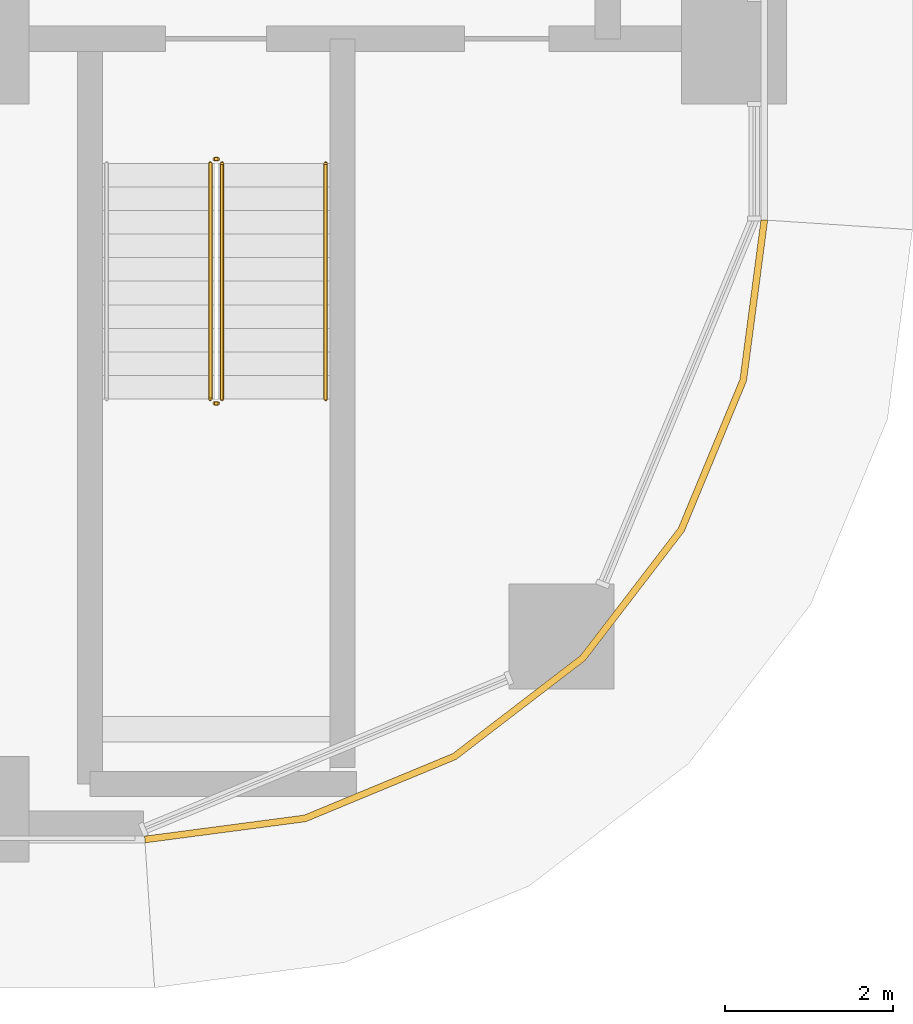
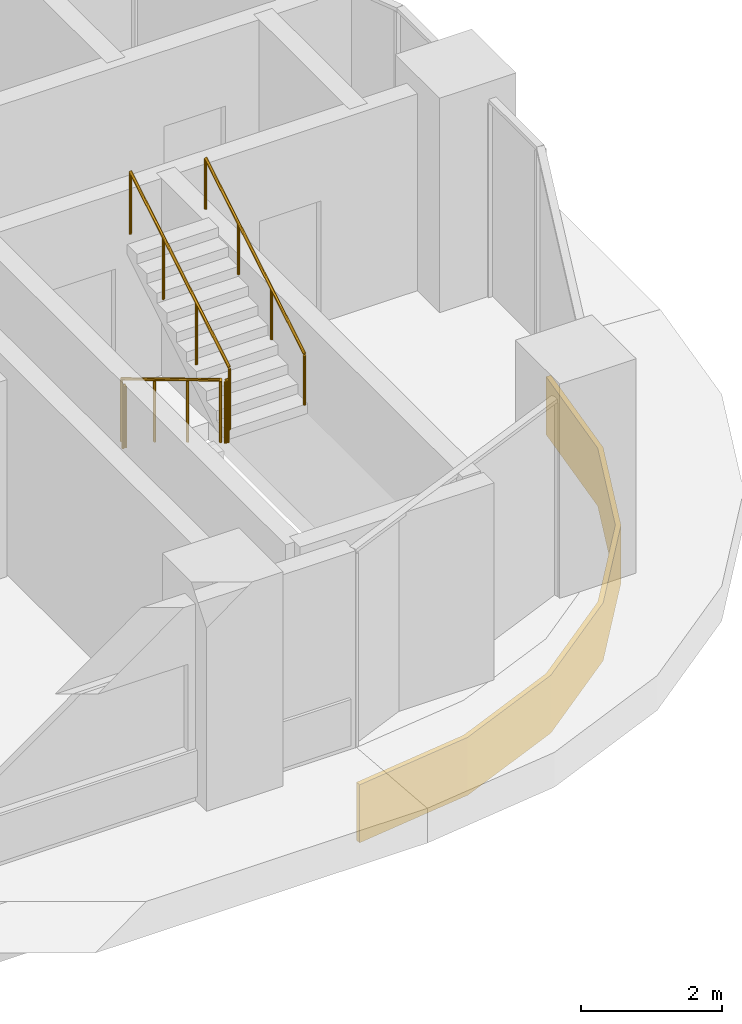
# One storey, part 28 of 33: 5 railings, 1 covering.
"""IFC4 building model written with IfcOpenShell, lengths in metres."""

from ifc_helpers import new_model, si_unit, direction, frame, origin, origin_2d, place, context, subcontext, project, spatial, polyline, circle, outline, extrude, material, layer, layer_set, type_object, element, save


model = new_model("IFC4")

# Units and contexts
model_context = context("Model", 3, precision=1e-05, world=origin(), true_north=direction((0.0, 1.0)))
body_context = subcontext(model_context, "Body", "Model", "MODEL_VIEW")
ifc_project = project(units=[si_unit("LENGTHUNIT", "METRE"), si_unit("AREAUNIT", "SQUARE_METRE"), si_unit("VOLUMEUNIT", "CUBIC_METRE"), si_unit("PLANEANGLEUNIT", "RADIAN"), si_unit("MASSUNIT", "GRAM", prefix="KILO")], contexts=[model_context])

# Site, building, storey
site_placement = place(None, origin())
site = spatial("IfcSite", under=ifc_project, at=site_placement, CompositionType="ELEMENT")
building_placement = place(site_placement, origin())
building = spatial("IfcBuilding", under=site, at=building_placement, Name="Ogive Portal Towers", CompositionType="ELEMENT")
storey_placement = place(building_placement, frame((0.0, 0.0, 98.199951171875)))
storey = spatial("IfcBuildingStorey", under=building, at=storey_placement, Name="L23", CompositionType="ELEMENT", Elevation=98.199951171875)

# Railings
ifc_material_1 = material(Name="Stainless steel balustrade", Category="steel")
railing_type_1 = type_object("IfcRailingType", Name="INT-GUARD", PredefinedType="GUARDRAIL", material=ifc_material_1)
railing_1_placement = place(storey_placement, frame((88.280029296875, 29.169921875, 0.168212890625)))
element("IfcRailing", 1, at=railing_1_placement, inside=storey, type_object=railing_type_1, Name="L23 ST-A4 stair guard 1", PredefinedType="GUARDRAIL", context=body_context, shape_type="SweptSolid", body=[
    extrude(circle(Radius=0.02392578125, at=origin_2d()), frame((0.0, 0.0, 1.076171875), z_axis=(0.0, -0.857222391501, 0.514946377315), x_axis=(1.0, 0.0, 0.0)), (0.0, 0.0, 1.0), 3.26611328125),
    extrude(circle(Radius=0.02099609375, at=origin_2d()), origin(), (0.0, 0.0, 1.0), 1.052001953125),
    extrude(circle(Radius=0.02099609375, at=origin_2d()), frame((0.0, -0.933349609375, 0.560546875)), (0.0, 0.0, 1.0), 1.052001953125),
    extrude(circle(Radius=0.02099609375, at=origin_2d()), frame((0.0, -1.866455078125, 1.121337890625)), (0.0, 0.0, 1.0), 1.052001953125),
    extrude(circle(Radius=0.02099609375, at=origin_2d()), frame((0.0, -2.7998046875, 1.681884765625)), (0.0, 0.0, 1.0), 1.052001953125),
])
railing_2_placement = place(storey_placement, frame((88.330078125, 26.320068359375, 1.85009765625)))
element("IfcRailing", 2, at=railing_2_placement, inside=storey, type_object=railing_type_1, Name="L23 ST-A4 stair guard 2", PredefinedType="GUARDRAIL", context=body_context, shape_type="SweptSolid", body=[
    extrude(circle(Radius=0.02392578125, at=origin_2d()), frame((0.0, 0.0, 1.076171875), z_axis=(1.0, 0.0, 0.0), x_axis=(0.0, 1.0, 0.0)), (0.0, 0.0, 1.0), 0.0400390625),
    extrude(circle(Radius=0.02099609375, at=origin_2d()), origin(), (0.0, 0.0, 1.0), 1.052001953125),
    extrude(circle(Radius=0.02099609375, at=origin_2d()), frame((0.0400390625, 0.0, 0.0)), (0.0, 0.0, 1.0), 1.052001953125),
])
railing_3_placement = place(storey_placement, frame((88.419921875, 26.3701171875, 2.018310546875)))
element("IfcRailing", 3, at=railing_3_placement, inside=storey, type_object=railing_type_1, Name="L23 ST-A4 stair guard 3", PredefinedType="GUARDRAIL", context=body_context, shape_type="SweptSolid", body=[
    extrude(circle(Radius=0.02392578125, at=origin_2d()), frame((0.0, 0.0, 1.076171875), z_axis=(0.0, 0.857255387014, 0.514891446264), x_axis=(-1.0, 0.0, 0.0)), (0.0, 0.0, 1.0), 3.26611328125),
    extrude(circle(Radius=0.02099609375, at=origin_2d()), origin(), (0.0, 0.0, 1.0), 1.052001953125),
    extrude(circle(Radius=0.02099609375, at=origin_2d()), frame((0.0, 0.933349609375, 0.560546875)), (0.0, 0.0, 1.0), 1.052001953125),
    extrude(circle(Radius=0.02099609375, at=origin_2d()), frame((0.0, 1.866455078125, 1.12109375)), (0.0, 0.0, 1.0), 1.052001953125),
    extrude(circle(Radius=0.02099609375, at=origin_2d()), frame((0.0, 2.7998046875, 1.681640625)), (0.0, 0.0, 1.0), 1.052001953125),
])
railing_4_placement = place(storey_placement, frame((88.330078125, 29.219970703125, 0.0)))
element("IfcRailing", 4, at=railing_4_placement, inside=storey, type_object=railing_type_1, Name="L23 ST-A4 stair guard 4", PredefinedType="GUARDRAIL", context=body_context, shape_type="SweptSolid", body=[
    extrude(circle(Radius=0.02392578125, at=origin_2d()), frame((0.0, 0.0, 1.076171875), z_axis=(1.0, 0.0, 0.0), x_axis=(0.0, 1.0, 0.0)), (0.0, 0.0, 1.0), 0.0400390625),
    extrude(circle(Radius=0.02099609375, at=origin_2d()), origin(), (0.0, 0.0, 1.0), 1.052001953125),
    extrude(circle(Radius=0.02099609375, at=origin_2d()), frame((0.0400390625, 0.0, 0.0)), (0.0, 0.0, 1.0), 1.052001953125),
])
ifc_material_2 = material(Name="Stainless steel handrail", Category="steel")
railing_type_2 = type_object("IfcRailingType", Name="INT-HANDRAIL", PredefinedType="HANDRAIL", material=ifc_material_2)
railing_5_placement = place(storey_placement, frame((89.64990234375, 26.3701171875, 2.018310546875)))
element("IfcRailing", 5, at=railing_5_placement, inside=storey, type_object=railing_type_2, Name="L23 ST-A4 stair handrail 2", PredefinedType="HANDRAIL", context=body_context, shape_type="SweptSolid", body=[
    extrude(circle(Radius=0.02392578125, at=origin_2d()), frame((0.0, 0.0, 0.8759765625), z_axis=(0.0, 0.857255387014, 0.514891446264), x_axis=(-1.0, 0.0, 0.0)), (0.0, 0.0, 1.0), 3.26611328125),
    extrude(circle(Radius=0.02099609375, at=origin_2d()), origin(), (0.0, 0.0, 1.0), 0.851806640625),
    extrude(circle(Radius=0.02099609375, at=origin_2d()), frame((0.0, 0.933349609375, 0.560546875)), (0.0, 0.0, 1.0), 0.851806640625),
    extrude(circle(Radius=0.02099609375, at=origin_2d()), frame((0.0, 1.866455078125, 1.12109375)), (0.0, 0.0, 1.0), 0.851806640625),
    extrude(circle(Radius=0.02099609375, at=origin_2d()), frame((0.0, 2.7998046875, 1.681640625)), (0.0, 0.0, 1.0), 0.851806640625),
])

# Covering
ifc_material_3 = material(Name="Limestone cladding on lightweight block wall", Category="masonry")
ifc_layer = layer(ifc_material_3, 0.080078125)
ifc_layer_set = layer_set([ifc_layer], Name="STONE SPANDREL 80")
covering_type = type_object("IfcCoveringType", Name="STONE SPANDREL 80", PredefinedType="CLADDING", material=ifc_layer_set)
covering_placement = place(storey_placement, frame((0.0, 0.0, -1.599853515625)))
element("IfcCovering", 6, at=covering_placement, inside=storey, type_object=covering_type, Name="Stone spandrel A1-F13", PredefinedType="CLADDING", context=body_context, shape_type="SweptSolid", body=[
    extrude(outline(polyline([(87.5, 21.179931640625), (89.39453125, 21.429443359375), (91.159912109375, 22.16064453125), (92.676025390625, 23.323974609375), (93.83935546875, 24.840087890625), (94.570556640625, 26.60546875), (94.820068359375, 28.5), (94.89990234375, 28.494873046875), (94.6484375, 26.58447265625), (93.9091796875, 24.799560546875), (92.733154296875, 23.266845703125), (91.200439453125, 22.0908203125), (89.41552734375, 21.3515625), (87.505126953125, 21.10009765625), (87.5, 21.179931640625)])), origin(), (0.0, 0.0, 1.0), 1.0),
])

save(model, "model.ifc")
